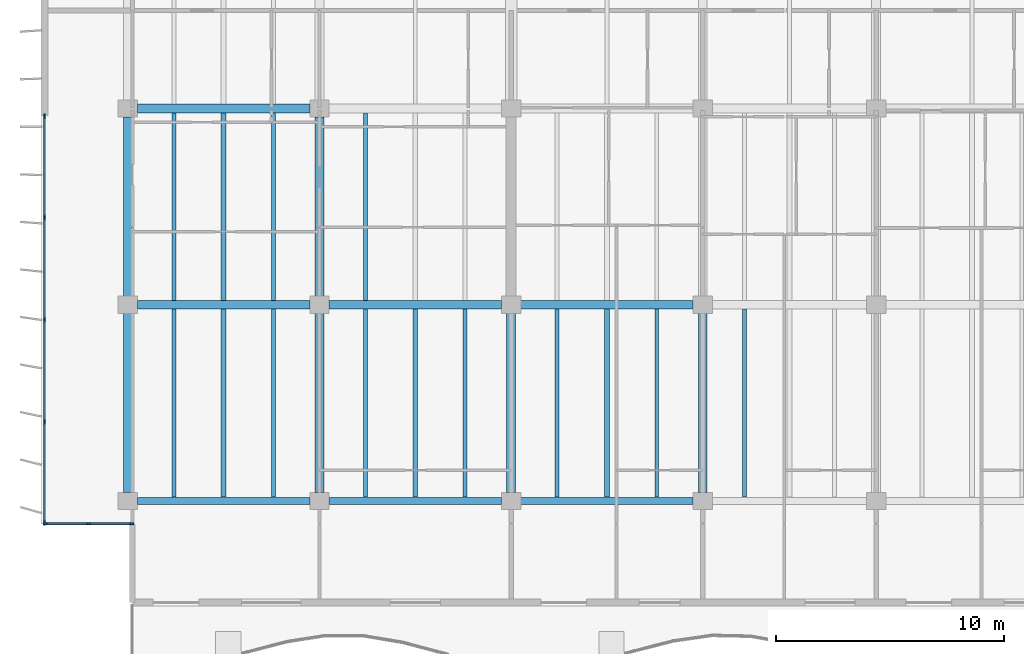
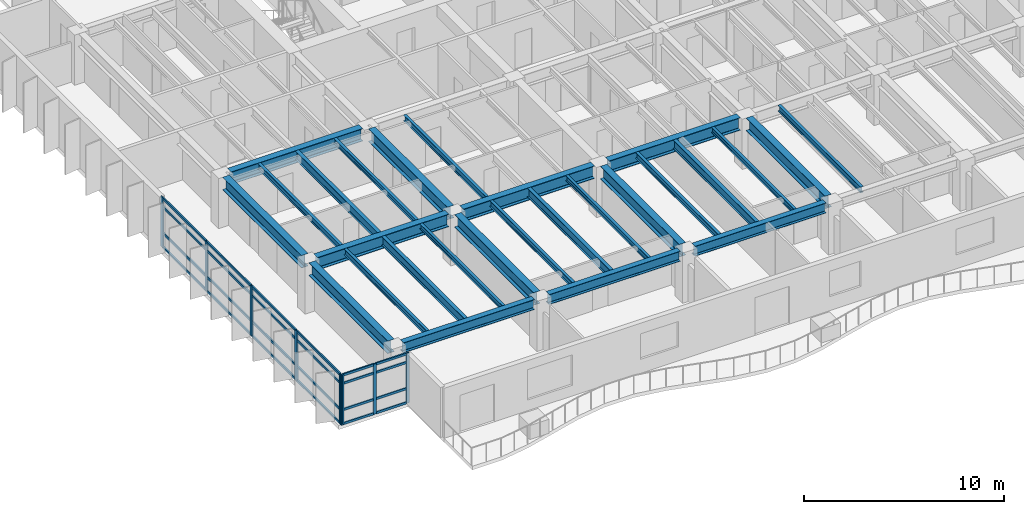
# One storey, part 2 of 19: 32 members, 27 beams, 2 elements without a shape of their own.
"""IFC4 building model written with IfcOpenShell, lengths in metres."""

from ifc_helpers import new_model, si_unit, direction, frame, origin, origin_2d, place, context, subcontext, project, spatial, rectangle, i_section, extrude, material, layer, layer_set, material_profile, profile_set, type_object, element, aggregate, save


model = new_model("IFC4")

# Units and contexts
model_context = context("Model", 3, precision=1e-05, world=origin(), true_north=direction((0.0, 1.0)))
body_context = subcontext(model_context, "Body", "Model", "MODEL_VIEW")
ifc_project = project(units=[si_unit("LENGTHUNIT", "METRE"), si_unit("AREAUNIT", "SQUARE_METRE"), si_unit("VOLUMEUNIT", "CUBIC_METRE"), si_unit("PLANEANGLEUNIT", "RADIAN"), si_unit("MASSUNIT", "GRAM", prefix="KILO")], contexts=[model_context])

# Site, building, storey
site_placement = place(None, origin())
site = spatial("IfcSite", under=ifc_project, at=site_placement, CompositionType="ELEMENT")
building_placement = place(site_placement, origin())
building = spatial("IfcBuilding", under=site, at=building_placement, Name="Caelmar Bay Residences", CompositionType="ELEMENT")
storey_placement = place(building_placement, frame((0.0, 0.0, 163.800048828125)))
storey = spatial("IfcBuildingStorey", under=building, at=storey_placement, Name="L45", CompositionType="ELEMENT", Elevation=163.800048828125)

# Beams
ifc_material_1 = material(Name="Steel ASTM A992 Grade 50", Category="steel")
ifc_material_profile_1 = material_profile(ifc_material_1, i_section(OverallWidth=0.381103515625, OverallDepth=0.77197265625, WebThickness=0.0166015625, FlangeThickness=0.027099609375, FilletRadius=0.0166015625, at=origin_2d()), Name="W30X173")
ifc_profile_set_1 = profile_set([ifc_material_profile_1], Name="Steel ASTM A992 Grade 50")
beam_type_1 = type_object("IfcBeamType", Name="BM-GRD-W30X173", PredefinedType="BEAM", material=ifc_profile_set_1)
beam_1_placement = place(storey_placement, frame((10.31494140625, 20.800048828125, 2.6640625), z_axis=(1.0, 0.0, 0.0), x_axis=(0.0, 1.0, 0.0)))
element("IfcBeam", 1, at=beam_1_placement, inside=storey, type_object=beam_type_1, Name="L45 East-West Girder Y=20.80 (9.9-18.3)", PredefinedType="BEAM", context=body_context, shape_type="SweptSolid", body=[
    extrude(i_section(OverallWidth=0.381103515625, OverallDepth=0.77197265625, WebThickness=0.0166015625, FlangeThickness=0.027099609375, FilletRadius=0.0166015625, at=origin_2d()), origin(), (0.0, 0.0, 1.0), 7.570068359375),
])
beam_2_placement = place(storey_placement, frame((18.715087890625, 20.800048828125, 2.6640625), z_axis=(1.0, 0.0, 0.0), x_axis=(0.0, 1.0, 0.0)))
element("IfcBeam", 2, at=beam_2_placement, inside=storey, type_object=beam_type_1, Name="L45 East-West Girder Y=20.80 (18.3-26.7)", PredefinedType="BEAM", context=body_context, shape_type="SweptSolid", body=[
    extrude(i_section(OverallWidth=0.381103515625, OverallDepth=0.77197265625, WebThickness=0.0166015625, FlangeThickness=0.027099609375, FilletRadius=0.0166015625, at=origin_2d()), origin(), (0.0, 0.0, 1.0), 7.56982421875),
])
for number, where, z_axis, x_axis, name in (
    (3, (27.114990234375, 20.800048828125, 2.6640625), (1.0, 0.0, 0.0), (0.0, 1.0, 0.0), "L45 East-West Girder Y=20.80 (26.7-35.1)"),
    (4, (10.31494140625, 29.39990234375, 2.6640625), (1.0, 0.0, 0.0), (0.0, 1.0, 0.0), "L45 East-West Girder Y=29.40 (9.9-18.3)"),
):
    element("IfcBeam", number, at=place(storey_placement, frame(where, z_axis=z_axis, x_axis=x_axis)), inside=storey, type_object=beam_type_1, Name=name, PredefinedType="BEAM", context=body_context, shape_type="SweptSolid", body=[
        extrude(i_section(OverallWidth=0.381103515625, OverallDepth=0.77197265625, WebThickness=0.0166015625, FlangeThickness=0.027099609375, FilletRadius=0.0166015625, at=origin_2d()), origin(), (0.0, 0.0, 1.0), 7.570068359375),
    ])
beam_3_placement = place(storey_placement, frame((9.89990234375, 12.56494140625, 2.6640625), z_axis=(0.0, 1.0, 0.0), x_axis=(-1.0, 0.0, 0.0)))
element("IfcBeam", 5, at=beam_3_placement, inside=storey, type_object=beam_type_1, Name="L45 North-South Girder X=9.90 (12.2-20.8)", PredefinedType="BEAM", context=body_context, shape_type="SweptSolid", body=[
    extrude(i_section(OverallWidth=0.381103515625, OverallDepth=0.77197265625, WebThickness=0.0166015625, FlangeThickness=0.027099609375, FilletRadius=0.0166015625, at=origin_2d()), origin(), (0.0, 0.0, 1.0), 7.8701171875),
])
beam_4_placement = place(storey_placement, frame((9.89990234375, 21.1650390625, 2.6640625), z_axis=(0.0, 1.0, 0.0), x_axis=(-1.0, 0.0, 0.0)))
element("IfcBeam", 6, at=beam_4_placement, inside=storey, type_object=beam_type_1, Name="L45 North-South Girder X=9.90 (20.8-29.4)", PredefinedType="BEAM", context=body_context, shape_type="SweptSolid", body=[
    extrude(i_section(OverallWidth=0.381103515625, OverallDepth=0.77197265625, WebThickness=0.0166015625, FlangeThickness=0.027099609375, FilletRadius=0.0166015625, at=origin_2d()), origin(), (0.0, 0.0, 1.0), 7.869873046875),
])
beam_5_placement = place(storey_placement, frame((18.300048828125, 12.56494140625, 2.6640625), z_axis=(0.0, 1.0, 0.0), x_axis=(-1.0, 0.0, 0.0)))
element("IfcBeam", 7, at=beam_5_placement, inside=storey, type_object=beam_type_1, Name="L45 North-South Girder X=18.30 (12.2-20.8)", PredefinedType="BEAM", context=body_context, shape_type="SweptSolid", body=[
    extrude(i_section(OverallWidth=0.381103515625, OverallDepth=0.77197265625, WebThickness=0.0166015625, FlangeThickness=0.027099609375, FilletRadius=0.0166015625, at=origin_2d()), origin(), (0.0, 0.0, 1.0), 7.8701171875),
])
beam_6_placement = place(storey_placement, frame((18.300048828125, 21.1650390625, 2.6640625), z_axis=(0.0, 1.0, 0.0), x_axis=(-1.0, 0.0, 0.0)))
element("IfcBeam", 8, at=beam_6_placement, inside=storey, type_object=beam_type_1, Name="L45 North-South Girder X=18.30 (20.8-29.4)", PredefinedType="BEAM", context=body_context, shape_type="SweptSolid", body=[
    extrude(i_section(OverallWidth=0.381103515625, OverallDepth=0.77197265625, WebThickness=0.0166015625, FlangeThickness=0.027099609375, FilletRadius=0.0166015625, at=origin_2d()), origin(), (0.0, 0.0, 1.0), 7.869873046875),
])
for number, where, z_axis, x_axis, name in (
    (9, (26.699951171875, 12.56494140625, 2.6640625), (0.0, 1.0, 0.0), (-1.0, 0.0, 0.0), "L45 North-South Girder X=26.70 (12.2-20.8)"),
    (10, (35.10009765625, 12.56494140625, 2.6640625), (0.0, 1.0, 0.0), (-1.0, 0.0, 0.0), "L45 North-South Girder X=35.10 (12.2-20.8)"),
):
    element("IfcBeam", number, at=place(storey_placement, frame(where, z_axis=z_axis, x_axis=x_axis)), inside=storey, type_object=beam_type_1, Name=name, PredefinedType="BEAM", context=body_context, shape_type="SweptSolid", body=[
        extrude(i_section(OverallWidth=0.381103515625, OverallDepth=0.77197265625, WebThickness=0.0166015625, FlangeThickness=0.027099609375, FilletRadius=0.0166015625, at=origin_2d()), origin(), (0.0, 0.0, 1.0), 7.8701171875),
    ])
ifc_material_profile_2 = material_profile(ifc_material_1, i_section(OverallWidth=0.1650390625, OverallDepth=0.31005859375, WebThickness=0.005859375, FlangeThickness=0.009765625, FilletRadius=0.007568359375, at=origin_2d()), Name="W12X26")
ifc_profile_set_2 = profile_set([ifc_material_profile_2], Name="Steel ASTM A992 Grade 50")
beam_type_2 = type_object("IfcBeamType", Name="BM-JST-W12X26", PredefinedType="JOIST", material=ifc_profile_set_2)
for number, where, z_axis, x_axis, name in (
    (11, (16.283935546875, 12.362548828125, 2.89501953125), (0.0, 1.0, 0.0), (-1.0, 0.0, 0.0), "L45 Composite Floor Joist 3"),
    (12, (24.68408203125, 12.362548828125, 2.89501953125), (0.0, 1.0, 0.0), (-1.0, 0.0, 0.0), "L45 Composite Floor Joist 6"),
    (13, (33.083984375, 12.362548828125, 2.89501953125), (0.0, 1.0, 0.0), (-1.0, 0.0, 0.0), "L45 Composite Floor Joist 9"),
):
    element("IfcBeam", number, at=place(storey_placement, frame(where, z_axis=z_axis, x_axis=x_axis)), inside=storey, type_object=beam_type_2, Name=name, PredefinedType="JOIST", context=body_context, shape_type="SweptSolid", body=[
        extrude(i_section(OverallWidth=0.1650390625, OverallDepth=0.31005859375, WebThickness=0.005859375, FlangeThickness=0.009765625, FilletRadius=0.007568359375, at=origin_2d()), origin(), (0.0, 0.0, 1.0), 8.2470703125),
    ])
beam_7_placement = place(storey_placement, frame((16.283935546875, 20.990478515625, 2.89501953125), z_axis=(0.0, 1.0, 0.0), x_axis=(-1.0, 0.0, 0.0)))
element("IfcBeam", 14, at=beam_7_placement, inside=storey, type_object=beam_type_2, Name="L45 Composite Floor Joist 24", PredefinedType="JOIST", context=body_context, shape_type="SweptSolid", body=[
    extrude(i_section(OverallWidth=0.1650390625, OverallDepth=0.31005859375, WebThickness=0.005859375, FlangeThickness=0.009765625, FilletRadius=0.007568359375, at=origin_2d()), origin(), (0.0, 0.0, 1.0), 8.218994140625),
])
ifc_material_profile_3 = material_profile(ifc_material_1, i_section(OverallWidth=0.1708984375, OverallDepth=0.35595703125, WebThickness=0.007080078125, FlangeThickness=0.01171875, FilletRadius=0.007568359375, at=origin_2d()), Name="W14X34")
ifc_profile_set_3 = profile_set([ifc_material_profile_3], Name="Steel ASTM A992 Grade 50")
beam_type_3 = type_object("IfcBeamType", Name="BM-JST-W14X34", PredefinedType="JOIST", material=ifc_profile_set_3)
for number, where, z_axis, x_axis, name in (
    (15, (11.916015625, 12.362548828125, 2.8720703125), (0.0, 1.0, 0.0), (-1.0, 0.0, 0.0), "L45 Composite Floor Joist 1"),
    (16, (20.31591796875, 12.362548828125, 2.8720703125), (0.0, 1.0, 0.0), (-1.0, 0.0, 0.0), "L45 Composite Floor Joist 4"),
    (17, (28.716064453125, 12.362548828125, 2.8720703125), (0.0, 1.0, 0.0), (-1.0, 0.0, 0.0), "L45 Composite Floor Joist 7"),
    (18, (36.924072265625, 12.362548828125, 2.8720703125), (0.0, 1.0, 0.0), (-1.0, 0.0, 0.0), "L45 Composite Floor Joist 10"),
):
    element("IfcBeam", number, at=place(storey_placement, frame(where, z_axis=z_axis, x_axis=x_axis)), inside=storey, type_object=beam_type_3, Name=name, PredefinedType="JOIST", context=body_context, shape_type="SweptSolid", body=[
        extrude(i_section(OverallWidth=0.1708984375, OverallDepth=0.35595703125, WebThickness=0.007080078125, FlangeThickness=0.01171875, FilletRadius=0.007568359375, at=origin_2d()), origin(), (0.0, 0.0, 1.0), 8.2470703125),
    ])
for number, where, z_axis, x_axis, name in (
    (19, (11.916015625, 20.990478515625, 2.8720703125), (0.0, 1.0, 0.0), (-1.0, 0.0, 0.0), "L45 Composite Floor Joist 22"),
    (20, (20.31591796875, 20.990478515625, 2.8720703125), (0.0, 1.0, 0.0), (-1.0, 0.0, 0.0), "L45 Composite Floor Joist 25"),
):
    element("IfcBeam", number, at=place(storey_placement, frame(where, z_axis=z_axis, x_axis=x_axis)), inside=storey, type_object=beam_type_3, Name=name, PredefinedType="JOIST", context=body_context, shape_type="SweptSolid", body=[
        extrude(i_section(OverallWidth=0.1708984375, OverallDepth=0.35595703125, WebThickness=0.007080078125, FlangeThickness=0.01171875, FilletRadius=0.007568359375, at=origin_2d()), origin(), (0.0, 0.0, 1.0), 8.218994140625),
    ])
ifc_material_profile_4 = material_profile(ifc_material_1, i_section(OverallWidth=0.2099609375, OverallDepth=0.535888671875, WebThickness=0.010986328125, FlangeThickness=0.017333984375, FilletRadius=0.0126953125, at=origin_2d()), Name="W21X68")
ifc_profile_set_4 = profile_set([ifc_material_profile_4], Name="Steel ASTM A992 Grade 50")
beam_type_4 = type_object("IfcBeamType", Name="BM-JST-W21X68", PredefinedType="JOIST", material=ifc_profile_set_4)
for number, where, z_axis, x_axis, name in (
    (21, (14.10009765625, 12.362548828125, 2.781982421875), (0.0, 1.0, 0.0), (-1.0, 0.0, 0.0), "L45 Composite Floor Joist 2"),
    (22, (22.5, 12.362548828125, 2.781982421875), (0.0, 1.0, 0.0), (-1.0, 0.0, 0.0), "L45 Composite Floor Joist 5"),
    (23, (30.89990234375, 12.362548828125, 2.781982421875), (0.0, 1.0, 0.0), (-1.0, 0.0, 0.0), "L45 Composite Floor Joist 8"),
):
    element("IfcBeam", number, at=place(storey_placement, frame(where, z_axis=z_axis, x_axis=x_axis)), inside=storey, type_object=beam_type_4, Name=name, PredefinedType="JOIST", context=body_context, shape_type="SweptSolid", body=[
        extrude(i_section(OverallWidth=0.2099609375, OverallDepth=0.535888671875, WebThickness=0.010986328125, FlangeThickness=0.017333984375, FilletRadius=0.0126953125, at=origin_2d()), origin(), (0.0, 0.0, 1.0), 8.2470703125),
    ])
beam_8_placement = place(storey_placement, frame((14.10009765625, 20.990478515625, 2.781982421875), z_axis=(0.0, 1.0, 0.0), x_axis=(-1.0, 0.0, 0.0)))
element("IfcBeam", 24, at=beam_8_placement, inside=storey, type_object=beam_type_4, Name="L45 Composite Floor Joist 23", PredefinedType="JOIST", context=body_context, shape_type="SweptSolid", body=[
    extrude(i_section(OverallWidth=0.2099609375, OverallDepth=0.535888671875, WebThickness=0.010986328125, FlangeThickness=0.017333984375, FilletRadius=0.0126953125, at=origin_2d()), origin(), (0.0, 0.0, 1.0), 8.218994140625),
])
ifc_material_profile_5 = material_profile(ifc_material_1, i_section(OverallWidth=0.324951171875, OverallDepth=0.616943359375, WebThickness=0.013916015625, FlangeThickness=0.021484375, FilletRadius=0.0126953125, at=origin_2d()), Name="W24X117")
ifc_profile_set_5 = profile_set([ifc_material_profile_5], Name="Steel ASTM A992 Grade 50")
beam_type_5 = type_object("IfcBeamType", Name="BM-SPN-W24X117", PredefinedType="SPANDREL", material=ifc_profile_set_5)
beam_9_placement = place(storey_placement, frame((10.31494140625, 12.199951171875, 2.741455078125), z_axis=(1.0, 0.0, 0.0), x_axis=(0.0, 1.0, 0.0)))
element("IfcBeam", 25, at=beam_9_placement, inside=storey, type_object=beam_type_5, Name="L45 East-West Girder Y=12.20 (9.9-18.3)", PredefinedType="SPANDREL", context=body_context, shape_type="SweptSolid", body=[
    extrude(i_section(OverallWidth=0.324951171875, OverallDepth=0.616943359375, WebThickness=0.013916015625, FlangeThickness=0.021484375, FilletRadius=0.0126953125, at=origin_2d()), origin(), (0.0, 0.0, 1.0), 7.570068359375),
])
beam_10_placement = place(storey_placement, frame((18.715087890625, 12.199951171875, 2.741455078125), z_axis=(1.0, 0.0, 0.0), x_axis=(0.0, 1.0, 0.0)))
element("IfcBeam", 26, at=beam_10_placement, inside=storey, type_object=beam_type_5, Name="L45 East-West Girder Y=12.20 (18.3-26.7)", PredefinedType="SPANDREL", context=body_context, shape_type="SweptSolid", body=[
    extrude(i_section(OverallWidth=0.324951171875, OverallDepth=0.616943359375, WebThickness=0.013916015625, FlangeThickness=0.021484375, FilletRadius=0.0126953125, at=origin_2d()), origin(), (0.0, 0.0, 1.0), 7.56982421875),
])
beam_11_placement = place(storey_placement, frame((27.114990234375, 12.199951171875, 2.741455078125), z_axis=(1.0, 0.0, 0.0), x_axis=(0.0, 1.0, 0.0)))
element("IfcBeam", 27, at=beam_11_placement, inside=storey, type_object=beam_type_5, Name="L45 East-West Girder Y=12.20 (26.7-35.1)", PredefinedType="SPANDREL", context=body_context, shape_type="SweptSolid", body=[
    extrude(i_section(OverallWidth=0.324951171875, OverallDepth=0.616943359375, WebThickness=0.013916015625, FlangeThickness=0.021484375, FilletRadius=0.0126953125, at=origin_2d()), origin(), (0.0, 0.0, 1.0), 7.570068359375),
])

# Curtain wall, members
ifc_material_2 = material(Name="Anodised bronze aluminium 6063-T6 and laminated glass", Category="aluminium")
ifc_layer_1 = layer(ifc_material_2, 0.179931640625)
ifc_layer_set_1 = layer_set([ifc_layer_1], Name="Anodised bronze aluminium 6063-T6 and laminated glass")
curtain_wall_type_1 = type_object("IfcCurtainWallType", Name="CW6-NTC", PredefinedType="NOTDEFINED", material=ifc_layer_set_1)
curtain_wall_1_placement = place(storey_placement, origin())
curtain_wall_1 = element("IfcCurtainWall", 28, at=curtain_wall_1_placement, inside=storey, type_object=curtain_wall_type_1, Name="CW6 curtain wall L45", PredefinedType="NOTDEFINED")
ifc_material_3 = material(Name="Anodised bronze aluminium 6063-T6", Category="aluminium")
ifc_material_profile_6 = material_profile(ifc_material_3, rectangle(XDim=0.080078125, YDim=0.179931640625, at=origin_2d()), Name="CWM-80X180")
ifc_profile_set_6 = profile_set([ifc_material_profile_6], Name="Anodised bronze aluminium 6063-T6")
member_type_1 = type_object("IfcMemberType", Name="CWM-180", PredefinedType="MULLION", material=ifc_profile_set_6)
member_1_placement = place(storey_placement, frame((6.2900390625, 11.199951171875, 0.0), z_axis=(0.0, 0.0, 1.0), x_axis=(0.0, 1.0, 0.0)))
member_1 = element("IfcMember", 29, at=member_1_placement, type_object=member_type_1, Name="CW6 mullion 1", PredefinedType="MULLION", context=body_context, shape_type="SweptSolid", body=[
    extrude(rectangle(XDim=0.080078125, YDim=0.179931640625, at=origin_2d()), origin(), (0.0, 0.0, 1.0), 3.050048828125),
])
member_2_placement = place(storey_placement, frame((8.175048828125, 11.199951171875, 0.0), z_axis=(0.0, 0.0, 1.0), x_axis=(0.0, 1.0, 0.0)))
member_2 = element("IfcMember", 30, at=member_2_placement, type_object=member_type_1, Name="CW6 mullion 2", PredefinedType="MULLION", context=body_context, shape_type="SweptSolid", body=[
    extrude(rectangle(XDim=0.080078125, YDim=0.179931640625, at=origin_2d()), origin(), (0.0, 0.0, 1.0), 3.050048828125),
])
member_3_placement = place(storey_placement, frame((10.06005859375, 11.199951171875, 0.0), z_axis=(0.0, 0.0, 1.0), x_axis=(0.0, 1.0, 0.0)))
member_3 = element("IfcMember", 31, at=member_3_placement, type_object=member_type_1, Name="CW6 mullion 3", PredefinedType="MULLION", context=body_context, shape_type="SweptSolid", body=[
    extrude(rectangle(XDim=0.080078125, YDim=0.179931640625, at=origin_2d()), origin(), (0.0, 0.0, 1.0), 3.050048828125),
])

ifc_layer_2 = layer(ifc_material_2, 0.179931640625)
ifc_layer_set_2 = layer_set([ifc_layer_2], Name="Anodised bronze aluminium 6063-T6 and laminated glass")
curtain_wall_type_2 = type_object("IfcCurtainWallType", Name="CW4-Z3", PredefinedType="NOTDEFINED", material=ifc_layer_set_2)
curtain_wall_2_placement = place(storey_placement, origin())
curtain_wall_2 = element("IfcCurtainWall", 32, at=curtain_wall_2_placement, inside=storey, type_object=curtain_wall_type_2, Name="CW4 curtain wall L45", PredefinedType="NOTDEFINED")
ifc_material_profile_7 = material_profile(ifc_material_3, rectangle(XDim=0.080078125, YDim=0.219970703125, at=origin_2d()), Name="CWM-80X220")
ifc_profile_set_7 = profile_set([ifc_material_profile_7], Name="Anodised bronze aluminium 6063-T6")
member_type_2 = type_object("IfcMemberType", Name="CWM-220", PredefinedType="MULLION", material=ifc_profile_set_7)
member_4_placement = place(storey_placement, frame((6.25, 11.239990234375, 0.0), z_axis=(0.0, 0.0, 1.0), x_axis=(-1.0, 0.0, 0.0)))
member_4 = element("IfcMember", 33, at=member_4_placement, type_object=member_type_2, Name="CW4 mullion 1", PredefinedType="MULLION", context=body_context, shape_type="SweptSolid", body=[
    extrude(rectangle(XDim=0.080078125, YDim=0.219970703125, at=origin_2d()), origin(), (0.0, 0.0, 1.0), 3.050048828125),
])
member_5_placement = place(storey_placement, frame((6.25, 15.675048828125, 0.0), z_axis=(0.0, 0.0, 1.0), x_axis=(-1.0, 0.0, 0.0)))
member_5 = element("IfcMember", 34, at=member_5_placement, type_object=member_type_2, Name="CW4 mullion 2", PredefinedType="MULLION", context=body_context, shape_type="SweptSolid", body=[
    extrude(rectangle(XDim=0.080078125, YDim=0.219970703125, at=origin_2d()), origin(), (0.0, 0.0, 1.0), 3.050048828125),
])
member_6_placement = place(storey_placement, frame((6.25, 20.14990234375, 0.0), z_axis=(0.0, 0.0, 1.0), x_axis=(-1.0, 0.0, 0.0)))
member_6 = element("IfcMember", 35, at=member_6_placement, type_object=member_type_2, Name="CW4 mullion 3", PredefinedType="MULLION", context=body_context, shape_type="SweptSolid", body=[
    extrude(rectangle(XDim=0.080078125, YDim=0.219970703125, at=origin_2d()), origin(), (0.0, 0.0, 1.0), 3.050048828125),
])
member_7_placement = place(storey_placement, frame((6.25, 24.625, 0.0), z_axis=(0.0, 0.0, 1.0), x_axis=(-1.0, 0.0, 0.0)))
member_7 = element("IfcMember", 36, at=member_7_placement, type_object=member_type_2, Name="CW4 mullion 4", PredefinedType="MULLION", context=body_context, shape_type="SweptSolid", body=[
    extrude(rectangle(XDim=0.080078125, YDim=0.219970703125, at=origin_2d()), origin(), (0.0, 0.0, 1.0), 3.050048828125),
])
member_8_placement = place(storey_placement, frame((6.25, 29.06005859375, 0.0), z_axis=(0.0, 0.0, 1.0), x_axis=(-1.0, 0.0, 0.0)))
member_8 = element("IfcMember", 37, at=member_8_placement, type_object=member_type_2, Name="CW4 mullion 5", PredefinedType="MULLION", context=body_context, shape_type="SweptSolid", body=[
    extrude(rectangle(XDim=0.080078125, YDim=0.219970703125, at=origin_2d()), origin(), (0.0, 0.0, 1.0), 3.050048828125),
])

# Member
ifc_material_profile_8 = material_profile(ifc_material_3, rectangle(XDim=0.080078125, YDim=0.139892578125, at=origin_2d()), Name="CWT-80X140")
ifc_profile_set_8 = profile_set([ifc_material_profile_8], Name="Anodised bronze aluminium 6063-T6")
member_type_3 = type_object("IfcMemberType", Name="CWT-140", PredefinedType="NOTDEFINED", material=ifc_profile_set_8)
member_9_placement = place(storey_placement, frame((6.330078125, 11.199951171875, 0.0400390625), z_axis=(1.0, 0.0, 0.0), x_axis=(0.0, 1.0, 0.0)))
member_9 = element("IfcMember", 38, at=member_9_placement, type_object=member_type_3, Name="CW6 transom 1.1", ObjectType="TRANSOM", PredefinedType="USERDEFINED", context=body_context, shape_type="SweptSolid", body=[
    extrude(rectangle(XDim=0.080078125, YDim=0.139892578125, at=origin_2d()), origin(), (0.0, 0.0, 1.0), 1.804931640625),
])

member_10_placement = place(storey_placement, frame((6.330078125, 11.199951171875, 0.89990234375), z_axis=(1.0, 0.0, 0.0), x_axis=(0.0, 1.0, 0.0)))
member_10 = element("IfcMember", 39, at=member_10_placement, type_object=member_type_3, Name="CW6 transom 1.2", ObjectType="TRANSOM", PredefinedType="USERDEFINED", context=body_context, shape_type="SweptSolid", body=[
    extrude(rectangle(XDim=0.080078125, YDim=0.139892578125, at=origin_2d()), origin(), (0.0, 0.0, 1.0), 1.804931640625),
])

member_11_placement = place(storey_placement, frame((6.330078125, 11.199951171875, 2.5), z_axis=(1.0, 0.0, 0.0), x_axis=(0.0, 1.0, 0.0)))
member_11 = element("IfcMember", 40, at=member_11_placement, type_object=member_type_3, Name="CW6 transom 1.3", ObjectType="TRANSOM", PredefinedType="USERDEFINED", context=body_context, shape_type="SweptSolid", body=[
    extrude(rectangle(XDim=0.080078125, YDim=0.139892578125, at=origin_2d()), origin(), (0.0, 0.0, 1.0), 1.804931640625),
])

member_12_placement = place(storey_placement, frame((6.330078125, 11.199951171875, 3.010009765625), z_axis=(1.0, 0.0, 0.0), x_axis=(0.0, 1.0, 0.0)))
member_12 = element("IfcMember", 41, at=member_12_placement, type_object=member_type_3, Name="CW6 transom 1.4", ObjectType="TRANSOM", PredefinedType="USERDEFINED", context=body_context, shape_type="SweptSolid", body=[
    extrude(rectangle(XDim=0.080078125, YDim=0.139892578125, at=origin_2d()), origin(), (0.0, 0.0, 1.0), 1.804931640625),
])

member_13_placement = place(storey_placement, frame((8.215087890625, 11.199951171875, 0.0400390625), z_axis=(1.0, 0.0, 0.0), x_axis=(0.0, 1.0, 0.0)))
member_13 = element("IfcMember", 42, at=member_13_placement, type_object=member_type_3, Name="CW6 transom 2.1", ObjectType="TRANSOM", PredefinedType="USERDEFINED", context=body_context, shape_type="SweptSolid", body=[
    extrude(rectangle(XDim=0.080078125, YDim=0.139892578125, at=origin_2d()), origin(), (0.0, 0.0, 1.0), 1.804931640625),
])

member_14_placement = place(storey_placement, frame((8.215087890625, 11.199951171875, 0.89990234375), z_axis=(1.0, 0.0, 0.0), x_axis=(0.0, 1.0, 0.0)))
member_14 = element("IfcMember", 43, at=member_14_placement, type_object=member_type_3, Name="CW6 transom 2.2", ObjectType="TRANSOM", PredefinedType="USERDEFINED", context=body_context, shape_type="SweptSolid", body=[
    extrude(rectangle(XDim=0.080078125, YDim=0.139892578125, at=origin_2d()), origin(), (0.0, 0.0, 1.0), 1.804931640625),
])

member_15_placement = place(storey_placement, frame((8.215087890625, 11.199951171875, 2.5), z_axis=(1.0, 0.0, 0.0), x_axis=(0.0, 1.0, 0.0)))
member_15 = element("IfcMember", 44, at=member_15_placement, type_object=member_type_3, Name="CW6 transom 2.3", ObjectType="TRANSOM", PredefinedType="USERDEFINED", context=body_context, shape_type="SweptSolid", body=[
    extrude(rectangle(XDim=0.080078125, YDim=0.139892578125, at=origin_2d()), origin(), (0.0, 0.0, 1.0), 1.804931640625),
])

member_16_placement = place(storey_placement, frame((8.215087890625, 11.199951171875, 3.010009765625), z_axis=(1.0, 0.0, 0.0), x_axis=(0.0, 1.0, 0.0)))
member_16 = element("IfcMember", 45, at=member_16_placement, type_object=member_type_3, Name="CW6 transom 2.4", ObjectType="TRANSOM", PredefinedType="USERDEFINED", context=body_context, shape_type="SweptSolid", body=[
    extrude(rectangle(XDim=0.080078125, YDim=0.139892578125, at=origin_2d()), origin(), (0.0, 0.0, 1.0), 1.804931640625),
])

aggregate(curtain_wall_1, [member_1, member_2, member_3, member_9, member_10, member_11, member_12, member_13, member_14, member_15, member_16])

member_17_placement = place(storey_placement, frame((6.25, 11.280029296875, 0.0400390625), z_axis=(0.0, 1.0, 0.0), x_axis=(-1.0, 0.0, 0.0)))
member_17 = element("IfcMember", 46, at=member_17_placement, type_object=member_type_3, Name="CW4 transom 1.1", ObjectType="TRANSOM", PredefinedType="USERDEFINED", context=body_context, shape_type="SweptSolid", body=[
    extrude(rectangle(XDim=0.080078125, YDim=0.139892578125, at=origin_2d()), origin(), (0.0, 0.0, 1.0), 4.35498046875),
])

member_18_placement = place(storey_placement, frame((6.25, 11.280029296875, 0.89990234375), z_axis=(0.0, 1.0, 0.0), x_axis=(-1.0, 0.0, 0.0)))
member_18 = element("IfcMember", 47, at=member_18_placement, type_object=member_type_3, Name="CW4 transom 1.2", ObjectType="TRANSOM", PredefinedType="USERDEFINED", context=body_context, shape_type="SweptSolid", body=[
    extrude(rectangle(XDim=0.080078125, YDim=0.139892578125, at=origin_2d()), origin(), (0.0, 0.0, 1.0), 4.35498046875),
])

member_19_placement = place(storey_placement, frame((6.25, 11.280029296875, 2.5), z_axis=(0.0, 1.0, 0.0), x_axis=(-1.0, 0.0, 0.0)))
member_19 = element("IfcMember", 48, at=member_19_placement, type_object=member_type_3, Name="CW4 transom 1.3", ObjectType="TRANSOM", PredefinedType="USERDEFINED", context=body_context, shape_type="SweptSolid", body=[
    extrude(rectangle(XDim=0.080078125, YDim=0.139892578125, at=origin_2d()), origin(), (0.0, 0.0, 1.0), 4.35498046875),
])

member_20_placement = place(storey_placement, frame((6.25, 11.280029296875, 3.010009765625), z_axis=(0.0, 1.0, 0.0), x_axis=(-1.0, 0.0, 0.0)))
member_20 = element("IfcMember", 49, at=member_20_placement, type_object=member_type_3, Name="CW4 transom 1.4", ObjectType="TRANSOM", PredefinedType="USERDEFINED", context=body_context, shape_type="SweptSolid", body=[
    extrude(rectangle(XDim=0.080078125, YDim=0.139892578125, at=origin_2d()), origin(), (0.0, 0.0, 1.0), 4.35498046875),
])

member_21_placement = place(storey_placement, frame((6.25, 15.715087890625, 0.0400390625), z_axis=(0.0, 1.0, 0.0), x_axis=(-1.0, 0.0, 0.0)))
member_21 = element("IfcMember", 50, at=member_21_placement, type_object=member_type_3, Name="CW4 transom 2.1", ObjectType="TRANSOM", PredefinedType="USERDEFINED", context=body_context, shape_type="SweptSolid", body=[
    extrude(rectangle(XDim=0.080078125, YDim=0.139892578125, at=origin_2d()), origin(), (0.0, 0.0, 1.0), 4.39501953125),
])

member_22_placement = place(storey_placement, frame((6.25, 15.715087890625, 0.89990234375), z_axis=(0.0, 1.0, 0.0), x_axis=(-1.0, 0.0, 0.0)))
member_22 = element("IfcMember", 51, at=member_22_placement, type_object=member_type_3, Name="CW4 transom 2.2", ObjectType="TRANSOM", PredefinedType="USERDEFINED", context=body_context, shape_type="SweptSolid", body=[
    extrude(rectangle(XDim=0.080078125, YDim=0.139892578125, at=origin_2d()), origin(), (0.0, 0.0, 1.0), 4.39501953125),
])

member_23_placement = place(storey_placement, frame((6.25, 15.715087890625, 2.5), z_axis=(0.0, 1.0, 0.0), x_axis=(-1.0, 0.0, 0.0)))
member_23 = element("IfcMember", 52, at=member_23_placement, type_object=member_type_3, Name="CW4 transom 2.3", ObjectType="TRANSOM", PredefinedType="USERDEFINED", context=body_context, shape_type="SweptSolid", body=[
    extrude(rectangle(XDim=0.080078125, YDim=0.139892578125, at=origin_2d()), origin(), (0.0, 0.0, 1.0), 4.39501953125),
])

member_24_placement = place(storey_placement, frame((6.25, 15.715087890625, 3.010009765625), z_axis=(0.0, 1.0, 0.0), x_axis=(-1.0, 0.0, 0.0)))
member_24 = element("IfcMember", 53, at=member_24_placement, type_object=member_type_3, Name="CW4 transom 2.4", ObjectType="TRANSOM", PredefinedType="USERDEFINED", context=body_context, shape_type="SweptSolid", body=[
    extrude(rectangle(XDim=0.080078125, YDim=0.139892578125, at=origin_2d()), origin(), (0.0, 0.0, 1.0), 4.39501953125),
])

member_25_placement = place(storey_placement, frame((6.25, 20.18994140625, 0.0400390625), z_axis=(0.0, 1.0, 0.0), x_axis=(-1.0, 0.0, 0.0)))
member_25 = element("IfcMember", 54, at=member_25_placement, type_object=member_type_3, Name="CW4 transom 3.1", ObjectType="TRANSOM", PredefinedType="USERDEFINED", context=body_context, shape_type="SweptSolid", body=[
    extrude(rectangle(XDim=0.080078125, YDim=0.139892578125, at=origin_2d()), origin(), (0.0, 0.0, 1.0), 4.39501953125),
])

member_26_placement = place(storey_placement, frame((6.25, 20.18994140625, 0.89990234375), z_axis=(0.0, 1.0, 0.0), x_axis=(-1.0, 0.0, 0.0)))
member_26 = element("IfcMember", 55, at=member_26_placement, type_object=member_type_3, Name="CW4 transom 3.2", ObjectType="TRANSOM", PredefinedType="USERDEFINED", context=body_context, shape_type="SweptSolid", body=[
    extrude(rectangle(XDim=0.080078125, YDim=0.139892578125, at=origin_2d()), origin(), (0.0, 0.0, 1.0), 4.39501953125),
])

member_27_placement = place(storey_placement, frame((6.25, 20.18994140625, 2.5), z_axis=(0.0, 1.0, 0.0), x_axis=(-1.0, 0.0, 0.0)))
member_27 = element("IfcMember", 56, at=member_27_placement, type_object=member_type_3, Name="CW4 transom 3.3", ObjectType="TRANSOM", PredefinedType="USERDEFINED", context=body_context, shape_type="SweptSolid", body=[
    extrude(rectangle(XDim=0.080078125, YDim=0.139892578125, at=origin_2d()), origin(), (0.0, 0.0, 1.0), 4.39501953125),
])

member_28_placement = place(storey_placement, frame((6.25, 20.18994140625, 3.010009765625), z_axis=(0.0, 1.0, 0.0), x_axis=(-1.0, 0.0, 0.0)))
member_28 = element("IfcMember", 57, at=member_28_placement, type_object=member_type_3, Name="CW4 transom 3.4", ObjectType="TRANSOM", PredefinedType="USERDEFINED", context=body_context, shape_type="SweptSolid", body=[
    extrude(rectangle(XDim=0.080078125, YDim=0.139892578125, at=origin_2d()), origin(), (0.0, 0.0, 1.0), 4.39501953125),
])

member_29_placement = place(storey_placement, frame((6.25, 24.6650390625, 0.0400390625), z_axis=(0.0, 1.0, 0.0), x_axis=(-1.0, 0.0, 0.0)))
member_29 = element("IfcMember", 58, at=member_29_placement, type_object=member_type_3, Name="CW4 transom 4.1", ObjectType="TRANSOM", PredefinedType="USERDEFINED", context=body_context, shape_type="SweptSolid", body=[
    extrude(rectangle(XDim=0.080078125, YDim=0.139892578125, at=origin_2d()), origin(), (0.0, 0.0, 1.0), 4.35498046875),
])

member_30_placement = place(storey_placement, frame((6.25, 24.6650390625, 0.89990234375), z_axis=(0.0, 1.0, 0.0), x_axis=(-1.0, 0.0, 0.0)))
member_30 = element("IfcMember", 59, at=member_30_placement, type_object=member_type_3, Name="CW4 transom 4.2", ObjectType="TRANSOM", PredefinedType="USERDEFINED", context=body_context, shape_type="SweptSolid", body=[
    extrude(rectangle(XDim=0.080078125, YDim=0.139892578125, at=origin_2d()), origin(), (0.0, 0.0, 1.0), 4.35498046875),
])

member_31_placement = place(storey_placement, frame((6.25, 24.6650390625, 2.5), z_axis=(0.0, 1.0, 0.0), x_axis=(-1.0, 0.0, 0.0)))
member_31 = element("IfcMember", 60, at=member_31_placement, type_object=member_type_3, Name="CW4 transom 4.3", ObjectType="TRANSOM", PredefinedType="USERDEFINED", context=body_context, shape_type="SweptSolid", body=[
    extrude(rectangle(XDim=0.080078125, YDim=0.139892578125, at=origin_2d()), origin(), (0.0, 0.0, 1.0), 4.35498046875),
])

member_32_placement = place(storey_placement, frame((6.25, 24.6650390625, 3.010009765625), z_axis=(0.0, 1.0, 0.0), x_axis=(-1.0, 0.0, 0.0)))
member_32 = element("IfcMember", 61, at=member_32_placement, type_object=member_type_3, Name="CW4 transom 4.4", ObjectType="TRANSOM", PredefinedType="USERDEFINED", context=body_context, shape_type="SweptSolid", body=[
    extrude(rectangle(XDim=0.080078125, YDim=0.139892578125, at=origin_2d()), origin(), (0.0, 0.0, 1.0), 4.35498046875),
])

aggregate(curtain_wall_2, [member_4, member_5, member_6, member_7, member_8, member_17, member_18, member_19, member_20, member_21, member_22, member_23, member_24, member_25, member_26, member_27, member_28, member_29, member_30, member_31, member_32])

save(model, "model.ifc")
